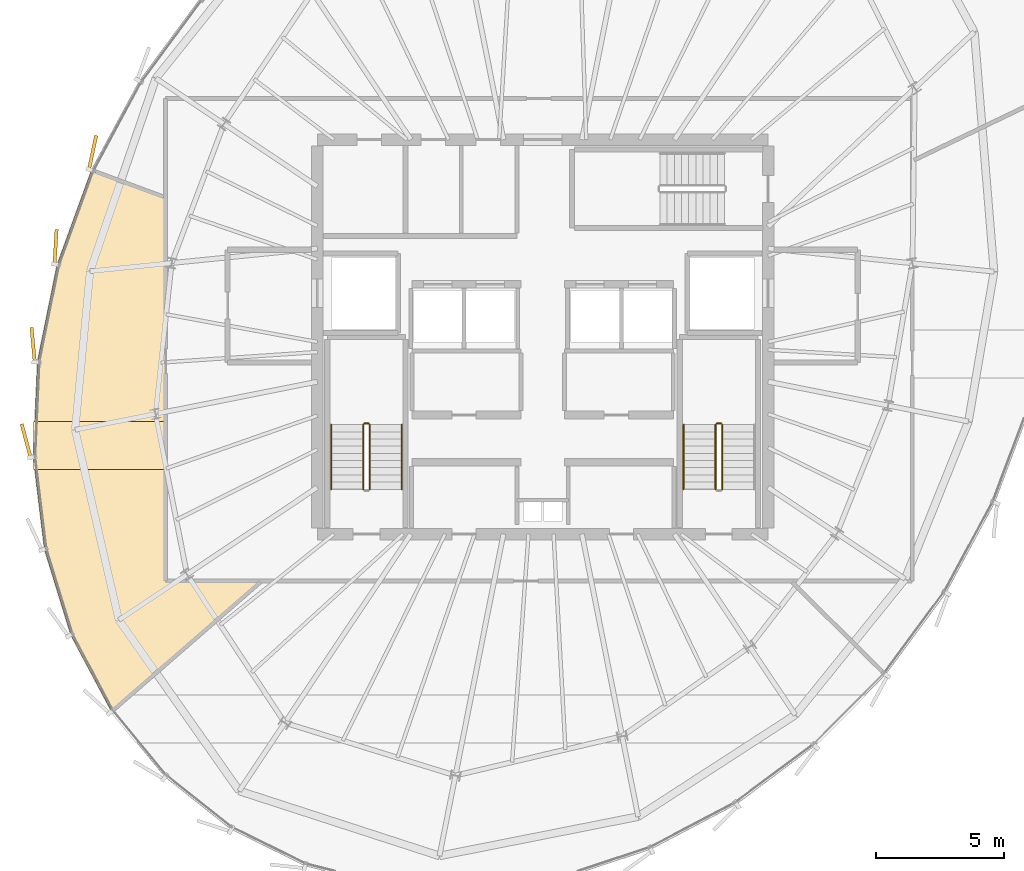
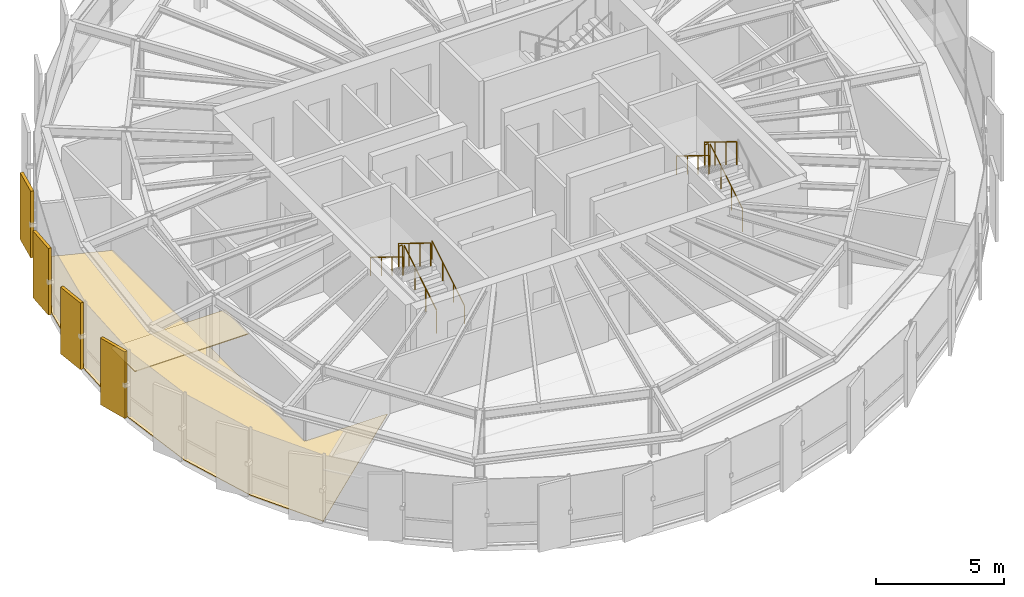
# One storey, part 31 of 33: 9 railings, 6 coverings.
"""IFC4 building model written with IfcOpenShell, lengths in metres."""

from ifc_helpers import new_model, si_unit, direction, frame, origin, origin_2d, place, context, subcontext, project, spatial, polyline, rectangle, circle, outline, extrude, source, transform, mapped, material, layer, layer_set, type_object, element, save


model = new_model("IFC4")

# Units and contexts
model_context = context("Model", 3, precision=1e-05, world=origin(), true_north=direction((0.0, 1.0)))
body_context = subcontext(model_context, "Body", "Model", "MODEL_VIEW")
ifc_project = project(units=[si_unit("LENGTHUNIT", "METRE"), si_unit("AREAUNIT", "SQUARE_METRE"), si_unit("VOLUMEUNIT", "CUBIC_METRE"), si_unit("PLANEANGLEUNIT", "RADIAN"), si_unit("MASSUNIT", "GRAM", prefix="KILO"), si_unit("THERMODYNAMICTEMPERATUREUNIT", "KELVIN")], contexts=[model_context])

# Site, building, storey
site_placement = place(None, origin())
site = spatial("IfcSite", under=ifc_project, at=site_placement, CompositionType="ELEMENT")
building_placement = place(site_placement, origin())
building = spatial("IfcBuilding", under=site, at=building_placement, Name="Kethvar Cultural Tower", CompositionType="ELEMENT")
storey_placement = place(building_placement, frame((0.0, 0.0, 266.35009765625)))
storey = spatial("IfcBuildingStorey", under=building, at=storey_placement, Name="L70", CompositionType="ELEMENT", Elevation=266.35009765625)

# Coverings
ifc_material_1 = material(Name="Acoustic Mineral Fibre Ceiling")
ifc_layer_1 = layer(ifc_material_1, 0.0400390625, Name="Acoustic Mineral Fibre Ceiling")
ifc_layer_set_1 = layer_set([ifc_layer_1], Name="Acoustic Mineral Fibre Ceiling (40 mm)")
covering_type_1 = type_object("IfcCoveringType", Name="CV-ACOUSTIC-CEIL", PredefinedType="CEILING", material=ifc_layer_set_1)
covering_1_placement = place(storey_placement, frame((0.0, 0.0, 2.449951171875)))
element("IfcCovering", 1, at=covering_1_placement, inside=storey, type_object=covering_type_1, Name="L70 Room 04 Acoustic Ceiling Panel", PredefinedType="CEILING", context=body_context, shape_type="SweptSolid", body=[
    extrude(outline(polyline([(26.92431640625, 22.615966796875), (26.92626953125, 24.486083984375), (32.090087890625, 24.486083984375), (32.090087890625, 22.615966796875), (26.92431640625, 22.615966796875)])), origin(), (0.0, 0.0, 1.0), 0.0400390625),
])
ifc_material_2 = material(Name="Architectural Oak Timber", Category="wood")
ifc_layer_2 = layer(ifc_material_2, 0.02490234375, Name="Architectural Oak Timber", Category="wood")
ifc_layer_set_2 = layer_set([ifc_layer_2], Name="Architectural Oak Timber (25 mm)")
covering_type_2 = type_object("IfcCoveringType", Name="CV-OAK-FLOOR", PredefinedType="FLOORING", material=ifc_layer_set_2)
covering_2_placement = place(storey_placement, origin())
element("IfcCovering", 2, at=covering_2_placement, inside=storey, type_object=covering_type_2, Name="L70 Room 04 Floor Finish", PredefinedType="FLOORING", context=body_context, shape_type="SweptSolid", body=[
    extrude(outline(polyline([(28.372802734375, 16.1591796875), (27.34326171875, 19.506103515625), (26.905029296875, 23.10498046875), (27.071044921875, 26.8466796875), (27.8369140625, 30.617919921875), (29.1728515625, 34.28564453125), (32.050048828125, 33.223388671875), (32.051513671875, 18.26123046875), (35.777099609375, 18.2490234375), (29.950927734375, 13.18701171875), (28.372802734375, 16.1591796875)])), origin(), (0.0, 0.0, 1.0), 0.02490234375),
])

# Railings
ifc_material_3 = material(Name="Steel S355J2", Category="steel")
railing_type_1 = type_object("IfcRailingType", Name="RL-STAIR-GUARD", PredefinedType="BALUSTRADE", material=ifc_material_3)
railing_1_placement = place(storey_placement, frame((40.050048828125, 21.85009765625, 0.17236328125)))
element("IfcRailing", 3, at=railing_1_placement, inside=storey, type_object=railing_type_1, Name="L70 ST-01 stair guard 1", PredefinedType="BALUSTRADE", context=body_context, shape_type="SweptSolid", body=[
    extrude(circle(Radius=0.02392578125, at=origin_2d()), frame((0.0, 0.0, 1.09619140625), z_axis=(0.0, 0.851400495292, 0.524516154772), x_axis=(-1.0, 0.0, 0.0)), (0.0, 0.0, 1.0), 2.9599609375),
    extrude(circle(Radius=0.02099609375, at=origin_2d()), origin(), (0.0, 0.0, 1.0), 1.072021484375),
    extrude(circle(Radius=0.02099609375, at=origin_2d()), frame((0.0, 0.840087890625, 0.517578125)), (0.0, 0.0, 1.0), 1.072021484375),
    extrude(circle(Radius=0.02099609375, at=origin_2d()), frame((0.0, 1.679931640625, 1.034912109375)), (0.0, 0.0, 1.0), 1.072021484375),
    extrude(circle(Radius=0.02099609375, at=origin_2d()), frame((0.0, 2.52001953125, 1.552490234375)), (0.0, 0.0, 1.0), 1.072021484375),
])
railing_2_placement = place(storey_placement, frame((40.0, 24.419921875, 1.724853515625)))
element("IfcRailing", 4, at=railing_2_placement, inside=storey, type_object=railing_type_1, Name="L70 ST-01 stair guard 2", PredefinedType="BALUSTRADE", context=body_context, shape_type="SweptSolid", body=[
    extrude(circle(Radius=0.02392578125, at=origin_2d()), frame((0.0, 0.0, 1.09619140625), z_axis=(-1.0, 0.0, 0.0), x_axis=(0.0, -1.0, 0.0)), (0.0, 0.0, 1.0), 0.159912109375),
    extrude(circle(Radius=0.02099609375, at=origin_2d()), origin(), (0.0, 0.0, 1.0), 1.072021484375),
    extrude(circle(Radius=0.02099609375, at=origin_2d()), frame((-0.159912109375, 0.0, 0.0)), (0.0, 0.0, 1.0), 1.072021484375),
])
railing_3_placement = place(storey_placement, frame((39.7900390625, 24.3701171875, 1.8974609375)))
element("IfcRailing", 5, at=railing_3_placement, inside=storey, type_object=railing_type_1, Name="L70 ST-01 stair guard 3", PredefinedType="BALUSTRADE", context=body_context, shape_type="SweptSolid", body=[
    extrude(circle(Radius=0.02392578125, at=origin_2d()), frame((0.0, 0.0, 1.09619140625), z_axis=(0.0, -0.851400495292, 0.524516154772), x_axis=(1.0, 0.0, 0.0)), (0.0, 0.0, 1.0), 2.9599609375),
    extrude(circle(Radius=0.02099609375, at=origin_2d()), origin(), (0.0, 0.0, 1.0), 1.072021484375),
    extrude(circle(Radius=0.02099609375, at=origin_2d()), frame((0.0, -0.840087890625, 0.517578125)), (0.0, 0.0, 1.0), 1.072021484375),
    extrude(circle(Radius=0.02099609375, at=origin_2d()), frame((0.0, -1.679931640625, 1.034912109375)), (0.0, 0.0, 1.0), 1.072021484375),
    extrude(circle(Radius=0.02099609375, at=origin_2d()), frame((0.0, -2.52001953125, 1.552490234375)), (0.0, 0.0, 1.0), 1.072021484375),
])
railing_4_placement = place(storey_placement, frame((53.81005859375, 21.85009765625, 0.17236328125)))
element("IfcRailing", 6, at=railing_4_placement, inside=storey, type_object=railing_type_1, Name="L70 ST-02 stair guard 1", PredefinedType="BALUSTRADE", context=body_context, shape_type="SweptSolid", body=[
    extrude(circle(Radius=0.02392578125, at=origin_2d()), frame((0.0, 0.0, 1.09619140625), z_axis=(0.0, 0.851400495292, 0.524516154772), x_axis=(-1.0, 0.0, 0.0)), (0.0, 0.0, 1.0), 2.9599609375),
    extrude(circle(Radius=0.02099609375, at=origin_2d()), origin(), (0.0, 0.0, 1.0), 1.072021484375),
    extrude(circle(Radius=0.02099609375, at=origin_2d()), frame((0.0, 0.840087890625, 0.517578125)), (0.0, 0.0, 1.0), 1.072021484375),
    extrude(circle(Radius=0.02099609375, at=origin_2d()), frame((0.0, 1.679931640625, 1.034912109375)), (0.0, 0.0, 1.0), 1.072021484375),
    extrude(circle(Radius=0.02099609375, at=origin_2d()), frame((0.0, 2.52001953125, 1.552490234375)), (0.0, 0.0, 1.0), 1.072021484375),
])
railing_5_placement = place(storey_placement, frame((53.760009765625, 24.419921875, 1.724853515625)))
element("IfcRailing", 7, at=railing_5_placement, inside=storey, type_object=railing_type_1, Name="L70 ST-02 stair guard 2", PredefinedType="BALUSTRADE", context=body_context, shape_type="SweptSolid", body=[
    extrude(circle(Radius=0.02392578125, at=origin_2d()), frame((0.0, 0.0, 1.09619140625), z_axis=(-1.0, 0.0, 0.0), x_axis=(0.0, -1.0, 0.0)), (0.0, 0.0, 1.0), 0.159912109375),
    extrude(circle(Radius=0.02099609375, at=origin_2d()), origin(), (0.0, 0.0, 1.0), 1.072021484375),
    extrude(circle(Radius=0.02099609375, at=origin_2d()), frame((-0.159912109375, 0.0, 0.0)), (0.0, 0.0, 1.0), 1.072021484375),
])
railing_6_placement = place(storey_placement, frame((53.550048828125, 24.3701171875, 1.8974609375)))
element("IfcRailing", 8, at=railing_6_placement, inside=storey, type_object=railing_type_1, Name="L70 ST-02 stair guard 3", PredefinedType="BALUSTRADE", context=body_context, shape_type="SweptSolid", body=[
    extrude(circle(Radius=0.02392578125, at=origin_2d()), frame((0.0, 0.0, 1.09619140625), z_axis=(0.0, -0.851400495292, 0.524516154772), x_axis=(1.0, 0.0, 0.0)), (0.0, 0.0, 1.0), 2.9599609375),
    extrude(circle(Radius=0.02099609375, at=origin_2d()), origin(), (0.0, 0.0, 1.0), 1.072021484375),
    extrude(circle(Radius=0.02099609375, at=origin_2d()), frame((0.0, -0.840087890625, 0.517578125)), (0.0, 0.0, 1.0), 1.072021484375),
    extrude(circle(Radius=0.02099609375, at=origin_2d()), frame((0.0, -1.679931640625, 1.034912109375)), (0.0, 0.0, 1.0), 1.072021484375),
    extrude(circle(Radius=0.02099609375, at=origin_2d()), frame((0.0, -2.52001953125, 1.552490234375)), (0.0, 0.0, 1.0), 1.072021484375),
])
railing_type_2 = type_object("IfcRailingType", Name="RL-STAIR-HANDRAIL", PredefinedType="HANDRAIL", material=ifc_material_3)
railing_7_placement = place(storey_placement, frame((41.300048828125, 21.85009765625, 0.17236328125)))
element("IfcRailing", 9, at=railing_7_placement, inside=storey, type_object=railing_type_2, Name="L70 ST-01 stair handrail 1", PredefinedType="HANDRAIL", context=body_context, shape_type="SweptSolid", body=[
    extrude(circle(Radius=0.02392578125, at=origin_2d()), frame((0.0, 0.0, 0.8759765625), z_axis=(0.0, 0.851400495292, 0.524516154772), x_axis=(-1.0, 0.0, 0.0)), (0.0, 0.0, 1.0), 2.9599609375),
    extrude(circle(Radius=0.02099609375, at=origin_2d()), origin(), (0.0, 0.0, 1.0), 0.851806640625),
    extrude(circle(Radius=0.02099609375, at=origin_2d()), frame((0.0, 0.840087890625, 0.517578125)), (0.0, 0.0, 1.0), 0.851806640625),
    extrude(circle(Radius=0.02099609375, at=origin_2d()), frame((0.0, 1.679931640625, 1.034912109375)), (0.0, 0.0, 1.0), 0.851806640625),
    extrude(circle(Radius=0.02099609375, at=origin_2d()), frame((0.0, 2.52001953125, 1.552490234375)), (0.0, 0.0, 1.0), 0.851806640625),
])
for number, where, name in (
    (10, (38.5400390625, 24.3701171875, 1.8974609375), "L70 ST-01 stair handrail 2"),
    (11, (52.300048828125, 24.3701171875, 1.8974609375), "L70 ST-02 stair handrail 2"),
):
    element("IfcRailing", number, at=place(storey_placement, frame(where)), inside=storey, type_object=railing_type_2, Name=name, PredefinedType="HANDRAIL", context=body_context, shape_type="SweptSolid", body=[
        extrude(circle(Radius=0.02392578125, at=origin_2d()), frame((0.0, 0.0, 0.8759765625), z_axis=(0.0, -0.851400495292, 0.524516154772), x_axis=(1.0, 0.0, 0.0)), (0.0, 0.0, 1.0), 2.9599609375),
        extrude(circle(Radius=0.02099609375, at=origin_2d()), origin(), (0.0, 0.0, 1.0), 0.851806640625),
        extrude(circle(Radius=0.02099609375, at=origin_2d()), frame((0.0, -0.840087890625, 0.517578125)), (0.0, 0.0, 1.0), 0.851806640625),
        extrude(circle(Radius=0.02099609375, at=origin_2d()), frame((0.0, -1.679931640625, 1.034912109375)), (0.0, 0.0, 1.0), 0.851806640625),
        extrude(circle(Radius=0.02099609375, at=origin_2d()), frame((0.0, -2.52001953125, 1.552490234375)), (0.0, 0.0, 1.0), 0.851806640625),
    ])

# Coverings
ifc_material_4 = material(Name="Extruded Architectural Terracotta", Category="masonry")
ifc_layer_3 = layer(ifc_material_4, 0.135009765625, Name="Extruded Architectural Terracotta", Category="masonry")
ifc_layer_set_3 = layer_set([ifc_layer_3], Name="Extruded Architectural Terracotta (135 mm)")
covering_type_3 = type_object("IfcCoveringType", Name="Terracotta Facade Fin FIN-03", PredefinedType="CLADDING", material=ifc_layer_set_3)
shared_shape = source(origin(), body_context, "Body", "SweptSolid", [
    extrude(rectangle(XDim=1.35009765625, YDim=0.135009765625, at=origin_2d()), origin(), (0.0, 0.0, 1.0), 3.169921875),
])
for number, where, z_axis, x_axis, name in (
    (12, (29.226318359375, 34.998779296875, 0.02001953125), (0.0, 0.0, 1.0), (0.208082406612, 0.9781112984, 0.0), "L70 Vertical Terracotta Fin 2.5"),
    (13, (27.7802734375, 31.31298828125, 0.02001953125), (0.0, 0.0, 1.0), (0.06070012105, 0.998156047572, 0.0), "L70 Vertical Terracotta Fin 2.6"),
    (14, (26.905517578125, 27.489013671875, 0.02001953125), (0.0, 0.0, 1.0), (-0.095150811579, 0.995462868748, 0.0), "L70 Vertical Terracotta Fin 3.1"),
    (15, (26.631591796875, 23.74658203125, 0.02001953125), (0.0, 0.0, 1.0), (-0.257807388214, 0.966196331282, 0.0), "L70 Vertical Terracotta Fin 3.2"),
):
    element("IfcCovering", number, at=place(storey_placement, frame(where, z_axis=z_axis, x_axis=x_axis)), inside=storey, type_object=covering_type_3, Name=name, PredefinedType="CLADDING", context=body_context, shape_type="MappedRepresentation", body=[
        mapped(shared_shape, transform((0.0, 0.0, 0.0), scale=1.0)),
    ])

save(model, "model.ifc")
